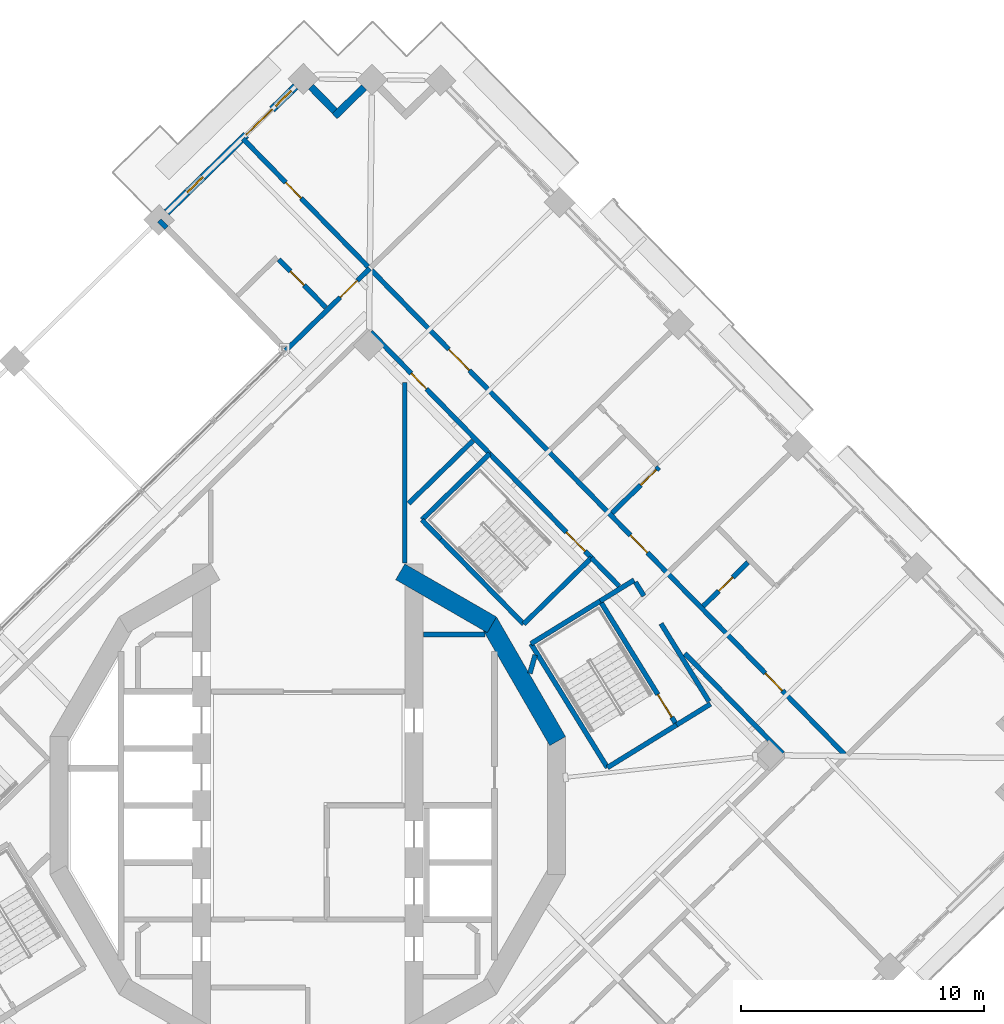
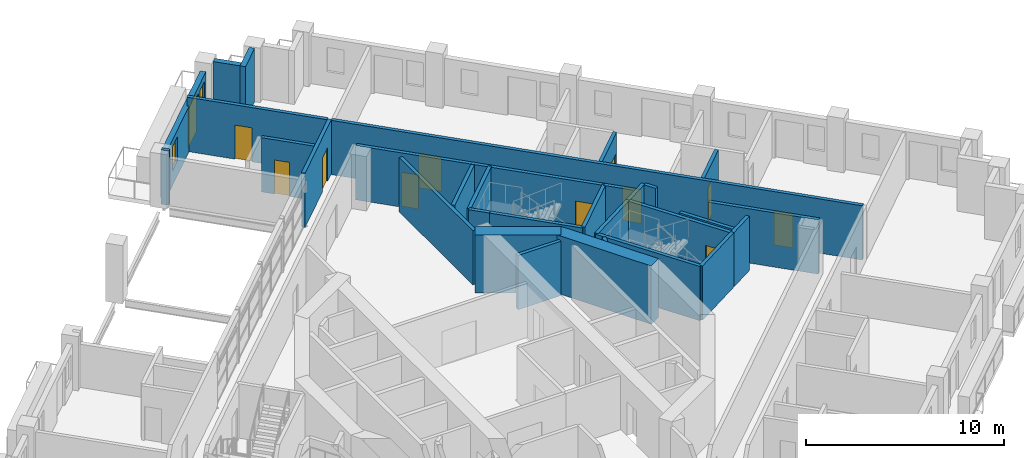
# One storey, part 10 of 19: 32 walls, 12 doors, 2 windows, 14 openings.
"""IFC4 building model written with IfcOpenShell, lengths in metres."""

from ifc_helpers import new_model, si_unit, direction, frame, frame_2d, origin, place, context, subcontext, project, spatial, rectangle, extrude, material, layer, layer_set, type_object, element, fill, save


model = new_model("IFC4")

# Units and contexts
model_context = context("Model", 3, precision=1e-05, world=origin(), true_north=direction((0.0, 1.0)))
body_context = subcontext(model_context, "Body", "Model", "MODEL_VIEW")
ifc_project = project(units=[si_unit("LENGTHUNIT", "METRE"), si_unit("AREAUNIT", "SQUARE_METRE"), si_unit("VOLUMEUNIT", "CUBIC_METRE"), si_unit("PLANEANGLEUNIT", "RADIAN"), si_unit("MASSUNIT", "GRAM", prefix="KILO")], contexts=[model_context])

# Site, building, storey
site_placement = place(None, origin())
site = spatial("IfcSite", under=ifc_project, at=site_placement, CompositionType="ELEMENT")
building_placement = place(site_placement, origin())
building = spatial("IfcBuilding", under=site, at=building_placement, Name="Cantera Rosa Tower", CompositionType="ELEMENT")
storey_placement = place(building_placement, frame((0.0, 0.0, 223.39990234375)))
storey = spatial("IfcBuildingStorey", under=building, at=storey_placement, Name="L48", CompositionType="ELEMENT", Elevation=223.39990234375)

# Wall
ifc_material_1 = material(Name="Gypsum board partition")
ifc_layer_1 = layer(ifc_material_1, 0.199951171875)
ifc_layer_set_1 = layer_set([ifc_layer_1], Name="CORRIDOR WALL 200 H2300")
wall_type_1 = type_object("IfcWallType", Name="CORRIDOR WALL 200 H2300", PredefinedType="PARTITIONING", material=ifc_layer_set_1)
wall_1_placement = place(storey_placement, frame((16.53759765625, 4.291748046875, 0.0), z_axis=(0.0, 0.0, 1.0), x_axis=(-0.524978610061, 0.85111542048, 0.0)))
element("IfcWall", 1, at=wall_1_placement, inside=storey, type_object=wall_type_1, Name="CORRIDOR WALL L48-117", PredefinedType="PARTITIONING", context=body_context, shape_type="SweptSolid", body=[
    extrude(rectangle(XDim=3.7705078125, YDim=0.199951171875, at=frame_2d((1.88525390625, 0.0))), origin(), (0.0, 0.0, 1.0), 2.300048828125),
])

# Wall, opening, door
ifc_material_2 = material(Name="Gypsum board partition")
ifc_layer_2 = layer(ifc_material_2, 0.199951171875)
ifc_layer_set_2 = layer_set([ifc_layer_2], Name="CORRIDOR WALL 200 H3350")
wall_type_2 = type_object("IfcWallType", Name="CORRIDOR WALL 200 H3350", PredefinedType="PARTITIONING", material=ifc_layer_set_2)
wall_2_placement = place(storey_placement, frame((2.555908203125, 22.1396484375, 0.0), z_axis=(0.0, 0.0, 1.0), x_axis=(-0.715279180478, -0.698838818309, 0.0)))
wall_2 = element("IfcWall", 2, at=wall_2_placement, inside=storey, type_object=wall_type_2, Name="CORRIDOR WALL L48-070", PredefinedType="PARTITIONING", context=body_context, shape_type="SweptSolid", body=[
    extrude(rectangle(XDim=4.945068359375, YDim=0.199951171875, at=frame_2d((2.47265625, 0.0))), origin(), (0.0, 0.0, 1.0), 3.35009765625),
])
opening_1_placement = place(wall_2_placement, frame((0.7099609375, 0.0, 0.0)))
opening_1 = element("IfcOpeningElement", 3, at=opening_1_placement, cuts=wall_2, Name="Opening L48-033", PredefinedType="OPENING", context=body_context, shape_type="SweptSolid", body=[
    extrude(rectangle(XDim=1.0, YDim=2.10009765625, at=frame_2d((0.5, 1.050048828125))), frame((0.0, 0.10986328125, 0.0), z_axis=(0.0, -1.0, 0.0), x_axis=(1.0, 0.0, 0.0)), (0.0, 0.0, 1.0), 0.219970703125),
])
ifc_material_3 = material(Name="Timber door leaf", Category="wood")
door_type_1 = type_object("IfcDoorType", Name="ENTRANCE DOOR 1000x2100", OperationType="NOTDEFINED", PredefinedType="DOOR", material=ifc_material_3)
door_1_placement = place(opening_1_placement, origin())
door_1 = element("IfcDoor", 4, at=door_1_placement, inside=storey, type_object=door_type_1, Name="DOOR L48-033", OperationType="NOTDEFINED", OverallHeight=2.10009765625, OverallWidth=1.0, PredefinedType="DOOR", context=body_context, shape_type="SweptSolid", body=[
    extrude(rectangle(XDim=1.0, YDim=2.10009765625, at=frame_2d((0.5, 1.050048828125))), frame((0.0, 0.02490234375, 0.0), z_axis=(0.0, -1.0, 0.0), x_axis=(1.0, 0.0, 0.0)), (0.0, 0.0, 1.0), 0.050048828125),
])
fill(opening_1, door_1)

# Wall
wall_3_placement = place(storey_placement, frame((4.0, 17.44189453125, 0.0), z_axis=(0.0, 0.0, 1.0), x_axis=(0.0, -1.0, 0.0)))
element("IfcWall", 5, at=wall_3_placement, inside=storey, type_object=wall_type_2, Name="CORRIDOR WALL L48-080", PredefinedType="PARTITIONING", context=body_context, shape_type="SweptSolid", body=[
    extrude(rectangle(XDim=7.44775390625, YDim=0.199951171875, at=frame_2d((3.723876953125, 0.0))), origin(), (0.0, 0.0, 1.0), 3.35009765625),
])

# Wall, opening, door
wall_4_placement = place(storey_placement, frame((7.498779296875, 14.50439453125, 0.0), z_axis=(0.0, 0.0, 1.0), x_axis=(-0.69881117118, 0.715306191106, 0.0)))
wall_4 = element("IfcWall", 6, at=wall_4_placement, inside=storey, type_object=wall_type_2, Name="CORRIDOR WALL L48-090", PredefinedType="PARTITIONING", context=body_context, shape_type="SweptSolid", body=[
    extrude(rectangle(XDim=7.015625, YDim=0.199951171875, at=frame_2d((3.5078125, 0.0))), origin(), (0.0, 0.0, 1.0), 3.35009765625),
])
opening_2_placement = place(wall_4_placement, frame((3.728515625, 0.0, 0.0)))
opening_2 = element("IfcOpeningElement", 7, at=opening_2_placement, cuts=wall_4, Name="Opening L48-007", PredefinedType="OPENING", context=body_context, shape_type="SweptSolid", body=[
    extrude(rectangle(XDim=0.89990234375, YDim=2.10009765625, at=frame_2d((0.449951171875, 1.050048828125))), frame((0.0, 0.10986328125, 0.0), z_axis=(0.0, -1.0, 0.0), x_axis=(1.0, 0.0, 0.0)), (0.0, 0.0, 1.0), 0.219970703125),
])
ifc_material_4 = material(Name="Timber door leaf", Category="wood")
door_type_2 = type_object("IfcDoorType", Name="SERVICE DOOR 900x2100", OperationType="NOTDEFINED", PredefinedType="DOOR", material=ifc_material_4)
door_2_placement = place(opening_2_placement, origin())
door_2 = element("IfcDoor", 8, at=door_2_placement, inside=storey, type_object=door_type_2, Name="DOOR L48-007", OperationType="NOTDEFINED", OverallHeight=2.10009765625, OverallWidth=0.89990234375, PredefinedType="DOOR", context=body_context, shape_type="SweptSolid", body=[
    extrude(rectangle(XDim=0.89990234375, YDim=2.10009765625, at=frame_2d((0.449951171875, 1.050048828125))), frame((0.0, 0.02490234375, 0.0), z_axis=(0.0, -1.0, 0.0), x_axis=(1.0, 0.0, 0.0)), (0.0, 0.0, 1.0), 0.050048828125),
])
fill(opening_2, door_2)

# Walls
wall_5_placement = place(storey_placement, frame((12.05078125, 8.4326171875, 0.0), z_axis=(0.0, 0.0, 1.0), x_axis=(0.851076929832, 0.525041007453, 0.0)))
element("IfcWall", 9, at=wall_5_placement, inside=storey, type_object=wall_type_2, Name="CORRIDOR WALL L48-104", PredefinedType="PARTITIONING", context=body_context, shape_type="SweptSolid", body=[
    extrude(rectangle(XDim=1.645263671875, YDim=0.199951171875, at=frame_2d((0.82275390625, 0.0))), origin(), (0.0, 0.0, 1.0), 3.35009765625),
])
wall_6_placement = place(storey_placement, frame((12.828125, 9.0498046875, 0.0), z_axis=(0.0, 0.0, 1.0), x_axis=(-0.698800279723, 0.715316831242, 0.0)))
element("IfcWall", 10, at=wall_6_placement, inside=storey, type_object=wall_type_2, Name="CORRIDOR WALL L48-110", PredefinedType="PARTITIONING", context=body_context, shape_type="SweptSolid", body=[
    extrude(rectangle(XDim=1.6259765625, YDim=0.199951171875, at=frame_2d((0.81298828125, 0.0))), origin(), (0.0, 0.0, 1.0), 3.35009765625),
])
wall_7_placement = place(storey_placement, frame((15.20068359375, 3.325927734375, 0.0), z_axis=(0.0, 0.0, 1.0), x_axis=(0.8510360128, 0.525107327047, 0.0)))
element("IfcWall", 11, at=wall_7_placement, inside=storey, type_object=wall_type_2, Name="CORRIDOR WALL L48-115", PredefinedType="PARTITIONING", context=body_context, shape_type="SweptSolid", body=[
    extrude(rectangle(XDim=1.64501953125, YDim=0.199951171875, at=frame_2d((0.822509765625, 0.0))), origin(), (0.0, 0.0, 1.0), 3.35009765625),
])
wall_8_placement = place(storey_placement, frame((13.8525390625, 8.64501953125, 0.0), z_axis=(0.0, 0.0, 1.0), x_axis=(-0.52487540685, 0.851179068871, 0.0)))
element("IfcWall", 12, at=wall_8_placement, inside=storey, type_object=wall_type_2, Name="CORRIDOR WALL L48-118", PredefinedType="PARTITIONING", context=body_context, shape_type="SweptSolid", body=[
    extrude(rectangle(XDim=0.6650390625, YDim=0.199951171875, at=frame_2d((0.33251953125, 0.0))), origin(), (0.0, 0.0, 1.0), 3.35009765625),
])
wall_9_placement = place(storey_placement, frame((19.57763671875, 2.14111328125, 0.0), z_axis=(0.0, 0.0, 1.0), x_axis=(-0.698830151438, 0.715287648042, 0.0)))
element("IfcWall", 13, at=wall_9_placement, inside=storey, type_object=wall_type_2, Name="CORRIDOR WALL L48-125", PredefinedType="PARTITIONING", context=body_context, shape_type="SweptSolid", body=[
    extrude(rectangle(XDim=5.770751953125, YDim=0.199951171875, at=frame_2d((2.88525390625, 0.0))), origin(), (0.0, 0.0, 1.0), 3.35009765625),
])

# Wall, openings, doors
wall_10_placement = place(storey_placement, frame((22.123291015625, 2.111572265625, 0.0), z_axis=(0.0, 0.0, 1.0), x_axis=(-0.698836336697, 0.715281605042, 0.0)))
wall_10 = element("IfcWall", 14, at=wall_10_placement, inside=storey, type_object=wall_type_2, Name="CORRIDOR WALL L48-126", PredefinedType="PARTITIONING", context=body_context, shape_type="SweptSolid", body=[
    extrude(rectangle(XDim=27.880126953125, YDim=0.199951171875, at=frame_2d((13.93994140625, 0.0))), origin(), (0.0, 0.0, 1.0), 3.35009765625),
])
opening_3_placement = place(wall_10_placement, frame((3.669921875, 0.0, 0.0)))
opening_3 = element("IfcOpeningElement", 15, at=opening_3_placement, cuts=wall_10, Name="Opening L48-023", PredefinedType="OPENING", context=body_context, shape_type="SweptSolid", body=[
    extrude(rectangle(XDim=1.0, YDim=2.10009765625, at=frame_2d((0.5, 1.050048828125))), frame((0.0, 0.10986328125, 0.0), z_axis=(0.0, -1.0, 0.0), x_axis=(1.0, 0.0, 0.0)), (0.0, 0.0, 1.0), 0.219970703125),
])
opening_4_placement = place(wall_10_placement, frame((22.1298828125, 0.0, 0.0)))
opening_4 = element("IfcOpeningElement", 16, at=opening_4_placement, cuts=wall_10, Name="Opening L48-026", PredefinedType="OPENING", context=body_context, shape_type="SweptSolid", body=[
    extrude(rectangle(XDim=1.199951171875, YDim=2.10009765625, at=frame_2d((0.60009765625, 1.050048828125))), frame((0.0, 0.10986328125, 0.0), z_axis=(0.0, -1.0, 0.0), x_axis=(1.0, 0.0, 0.0)), (0.0, 0.0, 1.0), 0.219970703125),
])
opening_5_placement = place(wall_10_placement, frame((11.625, 0.0, 0.0)))
opening_5 = element("IfcOpeningElement", 17, at=opening_5_placement, cuts=wall_10, Name="Opening L48-027", PredefinedType="OPENING", context=body_context, shape_type="SweptSolid", body=[
    extrude(rectangle(XDim=1.0, YDim=2.10009765625, at=frame_2d((0.5, 1.050048828125))), frame((0.0, 0.10986328125, 0.0), z_axis=(0.0, -1.0, 0.0), x_axis=(1.0, 0.0, 0.0)), (0.0, 0.0, 1.0), 0.219970703125),
])
door_3_placement = place(opening_3_placement, origin())
door_3 = element("IfcDoor", 18, at=door_3_placement, inside=storey, type_object=door_type_1, Name="DOOR L48-023", OperationType="NOTDEFINED", OverallHeight=2.10009765625, OverallWidth=1.0, PredefinedType="DOOR", context=body_context, shape_type="SweptSolid", body=[
    extrude(rectangle(XDim=1.0, YDim=2.10009765625, at=frame_2d((0.5, 1.050048828125))), frame((0.0, 0.02490234375, 0.0), z_axis=(0.0, -1.0, 0.0), x_axis=(1.0, 0.0, 0.0)), (0.0, 0.0, 1.0), 0.050048828125),
])
fill(opening_3, door_3)
door_4_placement = place(opening_5_placement, origin())
door_4 = element("IfcDoor", 19, at=door_4_placement, inside=storey, type_object=door_type_1, Name="DOOR L48-027", OperationType="NOTDEFINED", OverallHeight=2.10009765625, OverallWidth=1.0, PredefinedType="DOOR", context=body_context, shape_type="SweptSolid", body=[
    extrude(rectangle(XDim=1.0, YDim=2.10009765625, at=frame_2d((0.5, 1.050048828125))), frame((0.0, 0.02490234375, 0.0), z_axis=(0.0, -1.0, 0.0), x_axis=(1.0, 0.0, 0.0)), (0.0, 0.0, 1.0), 0.050048828125),
])
fill(opening_5, door_4)
ifc_material_5 = material(Name="Timber door leaf", Category="wood")
door_type_3 = type_object("IfcDoorType", Name="ROOM DOOR 1200x2100", OperationType="NOTDEFINED", PredefinedType="DOOR", material=ifc_material_5)
door_5_placement = place(opening_4_placement, origin())
door_5 = element("IfcDoor", 20, at=door_5_placement, inside=storey, type_object=door_type_3, Name="DOOR L48-026", OperationType="NOTDEFINED", OverallHeight=2.10009765625, OverallWidth=1.199951171875, PredefinedType="DOOR", context=body_context, shape_type="SweptSolid", body=[
    extrude(rectangle(XDim=1.199951171875, YDim=2.10009765625, at=frame_2d((0.60009765625, 1.050048828125))), frame((0.0, 0.02490234375, 0.0), z_axis=(0.0, -1.0, 0.0), x_axis=(1.0, 0.0, 0.0)), (0.0, 0.0, 1.0), 0.050048828125),
])
fill(opening_4, door_5)

# Walls
ifc_material_6 = material(Name="Hollow clay masonry with cantera stone cladding", Category="masonry")
ifc_layer_3 = layer(ifc_material_6, 0.300048828125)
ifc_layer_set_3 = layer_set([ifc_layer_3], Name="EW-LOGGIA 300")
wall_type_3 = type_object("IfcWallType", Name="EW-LOGGIA 300", PredefinedType="SOLIDWALL", material=ifc_layer_set_3)
wall_11_placement = place(storey_placement, frame((2.324462890625, 29.602783203125, 0.0), z_axis=(0.0, 0.0, 1.0), x_axis=(-0.715316077832, -0.69880105094, 0.0)))
element("IfcWall", 21, at=wall_11_placement, inside=storey, type_object=wall_type_3, Name="EN-L48-W06a", PredefinedType="SOLIDWALL", context=body_context, shape_type="SweptSolid", body=[
    extrude(rectangle(XDim=1.699951171875, YDim=0.300048828125, at=frame_2d((0.85009765625, 0.0))), origin(), (0.0, 0.0, 1.0), 3.300048828125),
])
wall_12_placement = place(storey_placement, frame((1.111083984375, 28.626953125, 0.0), z_axis=(0.0, 0.0, 1.0), x_axis=(-0.698951192766, 0.71516937164, 0.0)))
element("IfcWall", 22, at=wall_12_placement, inside=storey, type_object=wall_type_3, Name="EN-L48-W06b", PredefinedType="SOLIDWALL", context=body_context, shape_type="SweptSolid", body=[
    extrude(rectangle(XDim=1.39990234375, YDim=0.300048828125, at=frame_2d((0.699951171875, 0.0))), origin(), (0.0, 0.0, 1.0), 3.300048828125),
])

# Wall, openings, windows, door
ifc_material_7 = material(Name="Hollow clay masonry with cantera stone cladding", Category="masonry")
ifc_layer_4 = layer(ifc_material_7, 0.300048828125)
ifc_layer_set_4 = layer_set([ifc_layer_4], Name="EW-LOGGIA 300 H2820")
wall_type_4 = type_object("IfcWallType", Name="EW-LOGGIA 300 H2820", PredefinedType="SOLIDWALL", material=ifc_layer_set_4)
wall_13_placement = place(storey_placement, frame((-0.503662109375, 29.6357421875, 0.0), z_axis=(0.0, 0.0, 1.0), x_axis=(-0.715284379566, -0.698833496871, 0.0)))
wall_13 = element("IfcWall", 23, at=wall_13_placement, inside=storey, type_object=wall_type_4, Name="EN-L48-W07", PredefinedType="SOLIDWALL", context=body_context, shape_type="SweptSolid", body=[
    extrude(rectangle(XDim=7.42041015625, YDim=0.300048828125, at=frame_2d((3.710205078125, 0.0))), origin(), (0.0, 0.0, 1.0), 2.820068359375),
])
opening_6_placement = place(wall_13_placement, frame((0.25, 0.0, 0.89990234375)))
opening_6 = element("IfcOpeningElement", 24, at=opening_6_placement, cuts=wall_13, Name="Opening L48-W13", PredefinedType="OPENING", context=body_context, shape_type="SweptSolid", body=[
    extrude(rectangle(XDim=0.89990234375, YDim=1.5, at=frame_2d((0.449951171875, 0.75))), frame((0.0, 0.159912109375, 0.0), z_axis=(0.0, -1.0, 0.0), x_axis=(1.0, 0.0, 0.0)), (0.0, 0.0, 1.0), 0.320068359375),
])
opening_7_placement = place(wall_13_placement, frame((1.35009765625, 0.0, 0.0)))
opening_7 = element("IfcOpeningElement", 25, at=opening_7_placement, cuts=wall_13, Name="Opening L48-TD14", PredefinedType="OPENING", context=body_context, shape_type="SweptSolid", body=[
    extrude(rectangle(XDim=1.5, YDim=2.39990234375, at=frame_2d((0.75, 1.199951171875))), frame((0.0, 0.159912109375, 0.0), z_axis=(0.0, -1.0, 0.0), x_axis=(1.0, 0.0, 0.0)), (0.0, 0.0, 1.0), 0.320068359375),
])
opening_8_placement = place(wall_13_placement, frame((5.340087890625, 0.0, 0.89990234375)))
opening_8 = element("IfcOpeningElement", 26, at=opening_8_placement, cuts=wall_13, Name="Opening L48-W15", PredefinedType="OPENING", context=body_context, shape_type="SweptSolid", body=[
    extrude(rectangle(XDim=0.89990234375, YDim=1.5, at=frame_2d((0.449951171875, 0.75))), frame((0.0, 0.159912109375, 0.0), z_axis=(0.0, -1.0, 0.0), x_axis=(1.0, 0.0, 0.0)), (0.0, 0.0, 1.0), 0.320068359375),
])
ifc_material_8 = material(Name="Aluminium frame with clear glass", Category="aluminium")
window_type = type_object("IfcWindowType", Name="Residential window 900x1500", PartitioningType="SINGLE_PANEL", PredefinedType="WINDOW", material=ifc_material_8)
window_1_placement = place(opening_6_placement, origin())
window_1 = element("IfcWindow", 27, at=window_1_placement, inside=storey, type_object=window_type, Name="WINDOW L48-W13", OverallHeight=1.5, OverallWidth=0.89990234375, PartitioningType="SINGLE_PANEL", PredefinedType="WINDOW", context=body_context, shape_type="SweptSolid", body=[
    extrude(rectangle(XDim=0.89990234375, YDim=1.5, at=frame_2d((0.449951171875, 0.75))), frame((0.0, 0.030029296875, 0.0), z_axis=(0.0, -1.0, 0.0), x_axis=(1.0, 0.0, 0.0)), (0.0, 0.0, 1.0), 0.06005859375),
])
fill(opening_6, window_1)
window_2_placement = place(opening_8_placement, origin())
window_2 = element("IfcWindow", 28, at=window_2_placement, inside=storey, type_object=window_type, Name="WINDOW L48-W15", OverallHeight=1.5, OverallWidth=0.89990234375, PartitioningType="SINGLE_PANEL", PredefinedType="WINDOW", context=body_context, shape_type="SweptSolid", body=[
    extrude(rectangle(XDim=0.89990234375, YDim=1.5, at=frame_2d((0.449951171875, 0.75))), frame((0.0, 0.030029296875, 0.0), z_axis=(0.0, -1.0, 0.0), x_axis=(1.0, 0.0, 0.0)), (0.0, 0.0, 1.0), 0.06005859375),
])
fill(opening_8, window_2)
ifc_material_9 = material(Name="Aluminium frame with clear glass", Category="aluminium")
door_type_4 = type_object("IfcDoorType", Name="TD-R 1500x2400", OperationType="NOTDEFINED", PredefinedType="DOOR", material=ifc_material_9)
door_6_placement = place(opening_7_placement, origin())
door_6 = element("IfcDoor", 29, at=door_6_placement, inside=storey, type_object=door_type_4, Name="LOGGIA DOOR L48-TD14", OperationType="SLIDING_TO_LEFT", OverallHeight=2.39990234375, OverallWidth=1.5, PredefinedType="DOOR", context=body_context, shape_type="SweptSolid", body=[
    extrude(rectangle(XDim=1.5, YDim=2.39990234375, at=frame_2d((0.75, 1.199951171875))), frame((0.0, 0.02490234375, 0.0), z_axis=(0.0, -1.0, 0.0), x_axis=(1.0, 0.0, 0.0)), (0.0, 0.0, 1.0), 0.050048828125),
])
fill(opening_7, door_6)

# Wall, opening, door
ifc_material_10 = material(Name="Gypsum board partition")
ifc_layer_5 = layer(ifc_material_10, 0.199951171875)
ifc_layer_set_5 = layer_set([ifc_layer_5], Name="PARTITION 200 H3350")
wall_type_5 = type_object("IfcWallType", Name="PARTITION 200 H3350", PredefinedType="PARTITIONING", material=ifc_layer_set_5)
wall_14_placement = place(storey_placement, frame((-1.187744140625, 22.50830078125, 0.0), z_axis=(0.0, 0.0, 1.0), x_axis=(0.698832164503, -0.715285681288, 0.0)))
wall_14 = element("IfcWall", 30, at=wall_14_placement, inside=storey, type_object=wall_type_5, Name="PARTITION L48-060", PredefinedType="PARTITIONING", context=body_context, shape_type="SweptSolid", body=[
    extrude(rectangle(XDim=2.760009765625, YDim=0.199951171875, at=frame_2d((1.3798828125, 0.0))), origin(), (0.0, 0.0, 1.0), 3.35009765625),
])
opening_9_placement = place(wall_14_placement, frame((0.679931640625, 0.0, 0.0)))
opening_9 = element("IfcOpeningElement", 31, at=opening_9_placement, cuts=wall_14, Name="Opening L48-034", PredefinedType="OPENING", context=body_context, shape_type="SweptSolid", body=[
    extrude(rectangle(XDim=0.800048828125, YDim=2.10009765625, at=frame_2d((0.39990234375, 1.050048828125))), frame((0.0, 0.10986328125, 0.0), z_axis=(0.0, -1.0, 0.0), x_axis=(1.0, 0.0, 0.0)), (0.0, 0.0, 1.0), 0.219970703125),
])
ifc_material_11 = material(Name="Timber door leaf", Category="wood")
door_type_5 = type_object("IfcDoorType", Name="BATHROOM DOOR 800x2100", OperationType="NOTDEFINED", PredefinedType="DOOR", material=ifc_material_11)
door_7_placement = place(opening_9_placement, origin())
door_7 = element("IfcDoor", 32, at=door_7_placement, inside=storey, type_object=door_type_5, Name="DOOR L48-034", OperationType="NOTDEFINED", OverallHeight=2.10009765625, OverallWidth=0.800048828125, PredefinedType="DOOR", context=body_context, shape_type="SweptSolid", body=[
    extrude(rectangle(XDim=0.800048828125, YDim=2.10009765625, at=frame_2d((0.39990234375, 1.050048828125))), frame((0.0, 0.02490234375, 0.0), z_axis=(0.0, -1.0, 0.0), x_axis=(1.0, 0.0, 0.0)), (0.0, 0.0, 1.0), 0.050048828125),
])
fill(opening_9, door_7)

# Wall
wall_15_placement = place(storey_placement, frame((-5.818603515625, 23.81396484375, 0.0), z_axis=(0.0, 0.0, 1.0), x_axis=(-0.698628837203, 0.715484275039, 0.0)))
element("IfcWall", 33, at=wall_15_placement, inside=storey, type_object=wall_type_5, Name="PARTITION L48-061", PredefinedType="PARTITIONING", context=body_context, shape_type="SweptSolid", body=[
    extrude(rectangle(XDim=0.420166015625, YDim=0.199951171875, at=frame_2d((0.2099609375, 0.0))), origin(), (0.0, 0.0, 1.0), 3.35009765625),
])

# Wall, opening, door
wall_16_placement = place(storey_placement, frame((2.486083984375, 22.211181640625, 0.0), z_axis=(0.0, 0.0, 1.0), x_axis=(-0.698843600557, 0.715274508116, 0.0)))
wall_16 = element("IfcWall", 34, at=wall_16_placement, inside=storey, type_object=wall_type_5, Name="PARTITION L48-075", PredefinedType="PARTITIONING", context=body_context, shape_type="SweptSolid", body=[
    extrude(rectangle(XDim=7.369873046875, YDim=0.199951171875, at=frame_2d((3.68505859375, 0.0))), origin(), (0.0, 0.0, 1.0), 3.35009765625),
])
opening_10_placement = place(wall_16_placement, frame((3.949951171875, 0.0, 0.0)))
opening_10 = element("IfcOpeningElement", 35, at=opening_10_placement, cuts=wall_16, Name="Opening L48-035", PredefinedType="OPENING", context=body_context, shape_type="SweptSolid", body=[
    extrude(rectangle(XDim=0.89990234375, YDim=2.10009765625, at=frame_2d((0.449951171875, 1.050048828125))), frame((0.0, 0.10986328125, 0.0), z_axis=(0.0, -1.0, 0.0), x_axis=(1.0, 0.0, 0.0)), (0.0, 0.0, 1.0), 0.219970703125),
])
ifc_material_12 = material(Name="Timber door leaf", Category="wood")
door_type_6 = type_object("IfcDoorType", Name="ROOM DOOR 900x2100", OperationType="NOTDEFINED", PredefinedType="DOOR", material=ifc_material_12)
door_8_placement = place(opening_10_placement, origin())
door_8 = element("IfcDoor", 36, at=door_8_placement, inside=storey, type_object=door_type_6, Name="DOOR L48-035", OperationType="NOTDEFINED", OverallHeight=2.10009765625, OverallWidth=0.89990234375, PredefinedType="DOOR", context=body_context, shape_type="SweptSolid", body=[
    extrude(rectangle(XDim=0.89990234375, YDim=2.10009765625, at=frame_2d((0.449951171875, 1.050048828125))), frame((0.0, 0.02490234375, 0.0), z_axis=(0.0, -1.0, 0.0), x_axis=(1.0, 0.0, 0.0)), (0.0, 0.0, 1.0), 0.050048828125),
])
fill(opening_10, door_8)

# Walls
wall_17_placement = place(storey_placement, frame((4.780029296875, 7.050048828125, 0.0), z_axis=(0.0, 0.0, 1.0), x_axis=(1.0, 0.0, 0.0)))
element("IfcWall", 37, at=wall_17_placement, inside=storey, type_object=wall_type_5, Name="PARTITION L48-083", PredefinedType="PARTITIONING", context=body_context, shape_type="SweptSolid", body=[
    extrude(rectangle(XDim=2.517822265625, YDim=0.199951171875, at=frame_2d((1.2587890625, 0.0))), origin(), (0.0, 0.0, 1.0), 3.35009765625),
])
wall_18_placement = place(storey_placement, frame((6.80810546875, 15.039794921875, 0.0), z_axis=(0.0, 0.0, 1.0), x_axis=(-0.715261294022, -0.698857125079, 0.0)))
element("IfcWall", 38, at=wall_18_placement, inside=storey, type_object=wall_type_5, Name="PARTITION L48-087", PredefinedType="PARTITIONING", context=body_context, shape_type="SweptSolid", body=[
    extrude(rectangle(XDim=3.705810546875, YDim=0.199951171875, at=frame_2d((1.85302734375, 0.0))), origin(), (0.0, 0.0, 1.0), 3.35009765625),
])
wall_19_placement = place(storey_placement, frame((9.156494140625, 5.45068359375, 0.0), z_axis=(0.0, 0.0, 1.0), x_axis=(0.272879725043, 0.962048156622, 0.0)))
element("IfcWall", 39, at=wall_19_placement, inside=storey, type_object=wall_type_5, Name="PARTITION L48-095", PredefinedType="PARTITIONING", context=body_context, shape_type="SweptSolid", body=[
    extrude(rectangle(XDim=0.788330078125, YDim=0.199951171875, at=frame_2d((0.39404296875, 0.0))), origin(), (0.0, 0.0, 1.0), 3.35009765625),
])

# Wall, opening, door
wall_20_placement = place(storey_placement, frame((14.47509765625, 13.9462890625, 0.0), z_axis=(0.0, 0.0, 1.0), x_axis=(-0.715332030197, -0.698784721194, 0.0)))
wall_20 = element("IfcWall", 40, at=wall_20_placement, inside=storey, type_object=wall_type_5, Name="PARTITION L48-113", PredefinedType="PARTITIONING", context=body_context, shape_type="SweptSolid", body=[
    extrude(rectangle(XDim=2.699951171875, YDim=0.199951171875, at=frame_2d((1.35009765625, 0.0))), origin(), (0.0, 0.0, 1.0), 3.35009765625),
])
opening_11_placement = place(wall_20_placement, frame((0.14990234375, 0.0, 0.0)))
opening_11 = element("IfcOpeningElement", 41, at=opening_11_placement, cuts=wall_20, Name="Opening L48-029", PredefinedType="OPENING", context=body_context, shape_type="SweptSolid", body=[
    extrude(rectangle(XDim=0.89990234375, YDim=2.10009765625, at=frame_2d((0.449951171875, 1.050048828125))), frame((0.0, 0.10986328125, 0.0), z_axis=(0.0, -1.0, 0.0), x_axis=(1.0, 0.0, 0.0)), (0.0, 0.0, 1.0), 0.219970703125),
])
door_9_placement = place(opening_11_placement, origin())
door_9 = element("IfcDoor", 42, at=door_9_placement, inside=storey, type_object=door_type_6, Name="DOOR L48-029", OperationType="NOTDEFINED", OverallHeight=2.10009765625, OverallWidth=0.89990234375, PredefinedType="DOOR", context=body_context, shape_type="SweptSolid", body=[
    extrude(rectangle(XDim=0.89990234375, YDim=2.10009765625, at=frame_2d((0.449951171875, 1.050048828125))), frame((0.0, 0.02490234375, 0.0), z_axis=(0.0, -1.0, 0.0), x_axis=(1.0, 0.0, 0.0)), (0.0, 0.0, 1.0), 0.050048828125),
])
fill(opening_11, door_9)

wall_21_placement = place(storey_placement, frame((18.14208984375, 10.021484375, 0.0), z_axis=(0.0, 0.0, 1.0), x_axis=(-0.715337680074, -0.69877893748, 0.0)))
wall_21 = element("IfcWall", 43, at=wall_21_placement, inside=storey, type_object=wall_type_5, Name="PARTITION L48-121", PredefinedType="PARTITIONING", context=body_context, shape_type="SweptSolid", body=[
    extrude(rectangle(XDim=2.580078125, YDim=0.199951171875, at=frame_2d((1.2900390625, 0.0))), origin(), (0.0, 0.0, 1.0), 3.35009765625),
])
opening_12_placement = place(wall_21_placement, frame((0.8798828125, 0.0, 0.0)))
opening_12 = element("IfcOpeningElement", 44, at=opening_12_placement, cuts=wall_21, Name="Opening L48-024", PredefinedType="OPENING", context=body_context, shape_type="SweptSolid", body=[
    extrude(rectangle(XDim=0.800048828125, YDim=2.10009765625, at=frame_2d((0.39990234375, 1.050048828125))), frame((0.0, 0.10986328125, 0.0), z_axis=(0.0, -1.0, 0.0), x_axis=(1.0, 0.0, 0.0)), (0.0, 0.0, 1.0), 0.219970703125),
])
door_10_placement = place(opening_12_placement, origin())
door_10 = element("IfcDoor", 45, at=door_10_placement, inside=storey, type_object=door_type_5, Name="DOOR L48-024", OperationType="NOTDEFINED", OverallHeight=2.10009765625, OverallWidth=0.800048828125, PredefinedType="DOOR", context=body_context, shape_type="SweptSolid", body=[
    extrude(rectangle(XDim=0.800048828125, YDim=2.10009765625, at=frame_2d((0.39990234375, 1.050048828125))), frame((0.0, 0.02490234375, 0.0), z_axis=(0.0, -1.0, 0.0), x_axis=(1.0, 0.0, 0.0)), (0.0, 0.0, 1.0), 0.050048828125),
])
fill(opening_12, door_10)

# Walls
ifc_material_13 = material(Name="Concrete C60/75", Category="concrete")
ifc_layer_6 = layer(ifc_material_13, 0.75)
ifc_layer_set_6 = layer_set([ifc_layer_6], Name="RC CORE WALL 750 C60/75")
wall_type_6 = type_object("IfcWallType", Name="RC CORE WALL 750 C60/75", PredefinedType="SHEAR", material=ifc_layer_set_6)
wall_22_placement = place(storey_placement, frame((3.8125, 9.634765625, 0.0), z_axis=(0.0, 0.0, 1.0), x_axis=(0.866013176292, -0.50002117804, 0.0)))
element("IfcWall", 46, at=wall_22_placement, inside=storey, type_object=wall_type_6, Name="CW-E1 L48", PredefinedType="SHEAR", context=body_context, shape_type="SweptSolid", body=[
    extrude(rectangle(XDim=4.362548828125, YDim=0.75, at=frame_2d((2.18115234375, 0.0))), origin(), (0.0, 0.0, 1.0), 3.60009765625),
])
wall_23_placement = place(storey_placement, frame((7.453369140625, 7.590576171875, 0.0), z_axis=(0.0, 0.0, 1.0), x_axis=(0.500021842983, -0.866012792365, 0.0)))
element("IfcWall", 47, at=wall_23_placement, inside=storey, type_object=wall_type_6, Name="CW-E2 L48", PredefinedType="SHEAR", context=body_context, shape_type="SweptSolid", body=[
    extrude(rectangle(XDim=5.694091796875, YDim=0.75, at=frame_2d((2.84716796875, 0.0))), origin(), (0.0, 0.0, 1.0), 3.60009765625),
])
ifc_material_14 = material(Name="Concrete C50/60", Category="concrete")
ifc_layer_7 = layer(ifc_material_14, 0.199951171875)
ifc_layer_set_7 = layer_set([ifc_layer_7], Name="STAIR WALL 200 H3350")
wall_type_7 = type_object("IfcWallType", Name="STAIR WALL 200 H3350", PredefinedType="SOLIDWALL", material=ifc_layer_set_7)
wall_24_placement = place(storey_placement, frame((4.705322265625, 11.775390625, 0.0), z_axis=(0.0, 0.0, 1.0), x_axis=(0.715310770212, 0.698806483956, 0.0)))
element("IfcWall", 48, at=wall_24_placement, inside=storey, type_object=wall_type_7, Name="STAIR WALL L48-081", PredefinedType="SOLIDWALL", context=body_context, shape_type="SweptSolid", body=[
    extrude(rectangle(XDim=3.9052734375, YDim=0.199951171875, at=frame_2d((1.95263671875, 0.0))), origin(), (0.0, 0.0, 1.0), 3.35009765625),
])
wall_25_placement = place(storey_placement, frame((8.8984375, 7.483642578125, 0.0), z_axis=(0.0, 0.0, 1.0), x_axis=(-0.698837952642, 0.715280026246, 0.0)))
element("IfcWall", 49, at=wall_25_placement, inside=storey, type_object=wall_type_7, Name="STAIR WALL L48-094", PredefinedType="SOLIDWALL", context=body_context, shape_type="SweptSolid", body=[
    extrude(rectangle(XDim=4.89990234375, YDim=0.199951171875, at=frame_2d((2.449951171875, 0.0))), origin(), (0.0, 0.0, 1.0), 3.35009765625),
])
wall_26_placement = place(storey_placement, frame((9.199462890625, 6.674072265625, 0.0), z_axis=(0.0, 0.0, 1.0), x_axis=(0.85113993661, 0.524938861495, 0.0)))
element("IfcWall", 50, at=wall_26_placement, inside=storey, type_object=wall_type_7, Name="STAIR WALL L48-096", PredefinedType="SOLIDWALL", context=body_context, shape_type="SweptSolid", body=[
    extrude(rectangle(XDim=3.35009765625, YDim=0.199951171875, at=frame_2d((1.675048828125, 0.0))), origin(), (0.0, 0.0, 1.0), 3.35009765625),
])

# Wall, opening, door
wall_27_placement = place(storey_placement, frame((11.69189453125, 10.212890625, 0.0), z_axis=(0.0, 0.0, 1.0), x_axis=(-0.698860098963, 0.71525838833, 0.0)))
wall_27 = element("IfcWall", 51, at=wall_27_placement, inside=storey, type_object=wall_type_7, Name="STAIR WALL L48-100", PredefinedType="SOLIDWALL", context=body_context, shape_type="SweptSolid", body=[
    extrude(rectangle(XDim=6.0, YDim=0.199951171875, at=frame_2d((3.0, 0.0))), origin(), (0.0, 0.0, 1.0), 3.35009765625),
])
opening_13_placement = place(wall_27_placement, frame((0.375, 0.0, 0.0)))
opening_13 = element("IfcOpeningElement", 52, at=opening_13_placement, cuts=wall_27, Name="Opening L48-003", PredefinedType="OPENING", context=body_context, shape_type="SweptSolid", body=[
    extrude(rectangle(XDim=1.10009765625, YDim=2.10009765625, at=frame_2d((0.550048828125, 1.050048828125))), frame((0.0, 0.10986328125, 0.0), z_axis=(0.0, -1.0, 0.0), x_axis=(1.0, 0.0, 0.0)), (0.0, 0.0, 1.0), 0.219970703125),
])
ifc_material_15 = material(Name="Steel S355J2 (EN 10025-2)", Category="steel")
door_type_7 = type_object("IfcDoorType", Name="STAIR DOOR 1100x2100", OperationType="NOTDEFINED", PredefinedType="DOOR", material=ifc_material_15)
door_11_placement = place(opening_13_placement, origin())
door_11 = element("IfcDoor", 53, at=door_11_placement, inside=storey, type_object=door_type_7, Name="DOOR L48-003", OperationType="NOTDEFINED", OverallHeight=2.10009765625, OverallWidth=1.10009765625, PredefinedType="DOOR", context=body_context, shape_type="SweptSolid", body=[
    extrude(rectangle(XDim=1.10009765625, YDim=2.10009765625, at=frame_2d((0.550048828125, 1.050048828125))), frame((0.0, 0.02490234375, 0.0), z_axis=(0.0, -1.0, 0.0), x_axis=(1.0, 0.0, 0.0)), (0.0, 0.0, 1.0), 0.050048828125),
])
fill(opening_13, door_11)

# Wall
wall_28_placement = place(storey_placement, frame((11.69189453125, 10.212890625, 0.0), z_axis=(0.0, 0.0, 1.0), x_axis=(-0.715279521258, -0.698838469511, 0.0)))
element("IfcWall", 54, at=wall_28_placement, inside=storey, type_object=wall_type_7, Name="STAIR WALL L48-101", PredefinedType="SOLIDWALL", context=body_context, shape_type="SweptSolid", body=[
    extrude(rectangle(XDim=3.905517578125, YDim=0.199951171875, at=frame_2d((1.95263671875, 0.0))), origin(), (0.0, 0.0, 1.0), 3.35009765625),
])

# Wall, opening, door
wall_29_placement = place(storey_placement, frame((12.05078125, 8.4326171875, 0.0), z_axis=(0.0, 0.0, 1.0), x_axis=(0.524982543144, -0.851112994493, 0.0)))
wall_29 = element("IfcWall", 55, at=wall_29_placement, inside=storey, type_object=wall_type_7, Name="STAIR WALL L48-105", PredefinedType="SOLIDWALL", context=body_context, shape_type="SweptSolid", body=[
    extrude(rectangle(XDim=6.0, YDim=0.199951171875, at=frame_2d((3.0, 0.0))), origin(), (0.0, 0.0, 1.0), 3.35009765625),
])
opening_14_placement = place(wall_29_placement, frame((4.52490234375, 0.0, 0.0)))
opening_14 = element("IfcOpeningElement", 56, at=opening_14_placement, cuts=wall_29, Name="Opening L48-001", PredefinedType="OPENING", context=body_context, shape_type="SweptSolid", body=[
    extrude(rectangle(XDim=1.10009765625, YDim=2.10009765625, at=frame_2d((0.550048828125, 1.050048828125))), frame((0.0, 0.10986328125, 0.0), z_axis=(0.0, -1.0, 0.0), x_axis=(1.0, 0.0, 0.0)), (0.0, 0.0, 1.0), 0.219970703125),
])
door_12_placement = place(opening_14_placement, origin())
door_12 = element("IfcDoor", 57, at=door_12_placement, inside=storey, type_object=door_type_7, Name="DOOR L48-001", OperationType="NOTDEFINED", OverallHeight=2.10009765625, OverallWidth=1.10009765625, PredefinedType="DOOR", context=body_context, shape_type="SweptSolid", body=[
    extrude(rectangle(XDim=1.10009765625, YDim=2.10009765625, at=frame_2d((0.550048828125, 1.050048828125))), frame((0.0, 0.02490234375, 0.0), z_axis=(0.0, -1.0, 0.0), x_axis=(1.0, 0.0, 0.0)), (0.0, 0.0, 1.0), 0.050048828125),
])
fill(opening_14, door_12)

# Walls
wall_30_placement = place(storey_placement, frame((12.349365234375, 1.5673828125, 0.0), z_axis=(0.0, 0.0, 1.0), x_axis=(-0.524982543144, 0.851112994493, 0.0)))
element("IfcWall", 58, at=wall_30_placement, inside=storey, type_object=wall_type_7, Name="STAIR WALL L48-107", PredefinedType="SOLIDWALL", context=body_context, shape_type="SweptSolid", body=[
    extrude(rectangle(XDim=6.0, YDim=0.199951171875, at=frame_2d((3.0, 0.0))), origin(), (0.0, 0.0, 1.0), 3.35009765625),
])
wall_31_placement = place(storey_placement, frame((12.349365234375, 1.5673828125, 0.0), z_axis=(0.0, 0.0, 1.0), x_axis=(0.85113993661, 0.524938861495, 0.0)))
element("IfcWall", 59, at=wall_31_placement, inside=storey, type_object=wall_type_7, Name="STAIR WALL L48-108", PredefinedType="SOLIDWALL", context=body_context, shape_type="SweptSolid", body=[
    extrude(rectangle(XDim=3.35009765625, YDim=0.199951171875, at=frame_2d((1.675048828125, 0.0))), origin(), (0.0, 0.0, 1.0), 3.35009765625),
])
wall_32_placement = place(storey_placement, frame((5.47412109375, 10.988525390625, 0.0), z_axis=(0.0, 0.0, 1.0), x_axis=(-0.698847807351, 0.715270397934, 0.0)))
element("IfcWall", 60, at=wall_32_placement, inside=storey, type_object=wall_type_7, Name="STAIR WALL L48-094 J", PredefinedType="SOLIDWALL", context=body_context, shape_type="SweptSolid", body=[
    extrude(rectangle(XDim=1.10009765625, YDim=0.199951171875, at=frame_2d((0.550048828125, 0.0))), origin(), (0.0, 0.0, 1.0), 3.35009765625),
])

save(model, "model.ifc")
